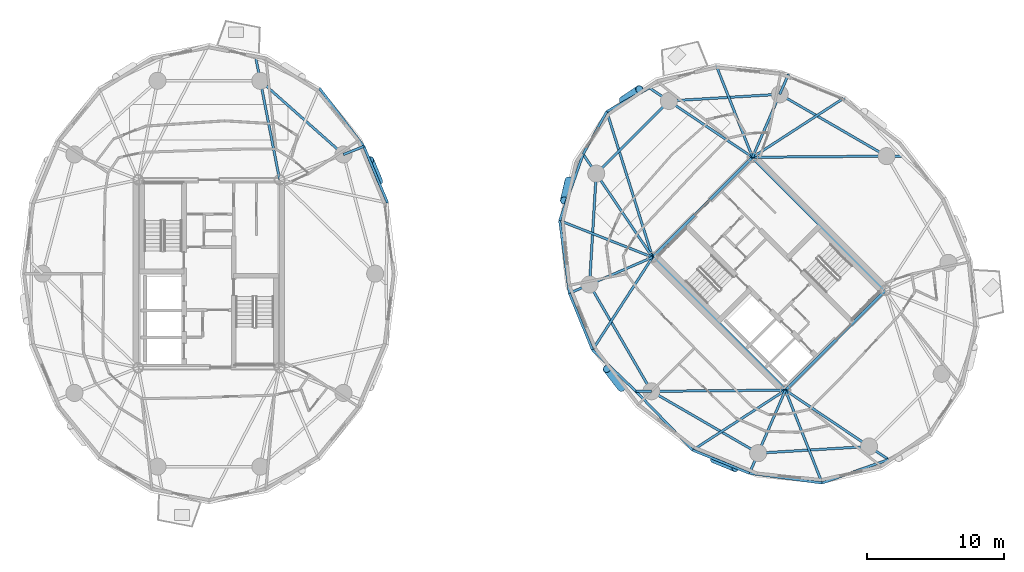
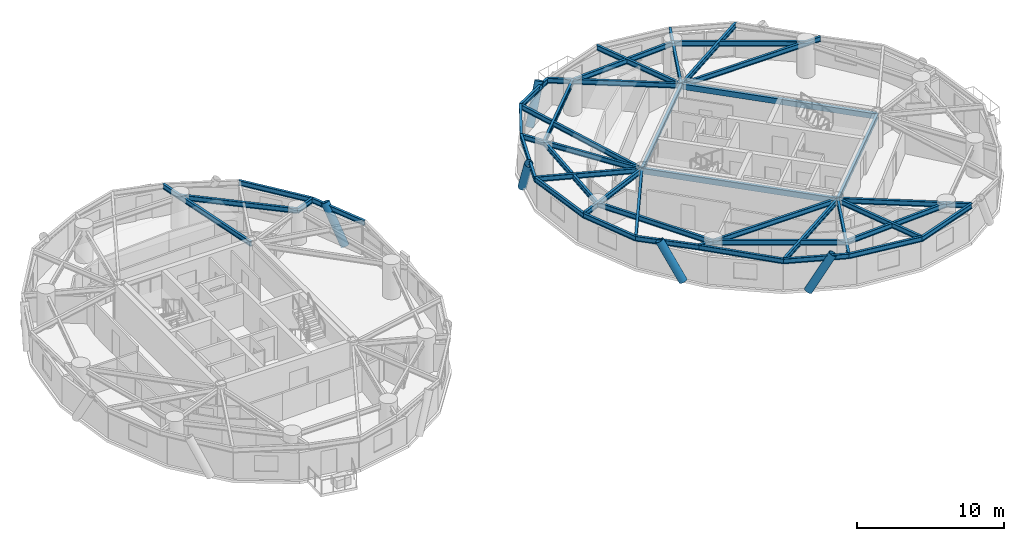
# One storey, part 4 of 16: 43 beams, 5 members.
"""IFC4 building model written with IfcOpenShell, lengths in metres."""

from ifc_helpers import new_model, si_unit, direction, frame, origin, origin_2d, place, context, subcontext, project, spatial, hollow_rectangle, hollow_circle, i_section, extrude, material, material_profile, profile_set, type_object, element, save


model = new_model("IFC4")

# Units and contexts
model_context = context("Model", 3, precision=1e-05, world=origin(), true_north=direction((0.0, 1.0)))
body_context = subcontext(model_context, "Body", "Model", "MODEL_VIEW")
ifc_project = project(units=[si_unit("LENGTHUNIT", "METRE"), si_unit("AREAUNIT", "SQUARE_METRE"), si_unit("VOLUMEUNIT", "CUBIC_METRE"), si_unit("PLANEANGLEUNIT", "RADIAN"), si_unit("MASSUNIT", "GRAM", prefix="KILO")], contexts=[model_context])

# Site, building, storey
site_placement = place(None, origin())
site = spatial("IfcSite", under=ifc_project, at=site_placement, CompositionType="ELEMENT")
building_placement = place(site_placement, origin())
building = spatial("IfcBuilding", under=site, at=building_placement, Name="Cununo Teusaquillo Station Towers", CompositionType="ELEMENT")
storey_placement = place(building_placement, frame((0.0, 0.0, 171.969970703125)))
storey = spatial("IfcBuildingStorey", under=building, at=storey_placement, Name="L54", CompositionType="ELEMENT", Elevation=171.969970703125)

# Beams
ifc_material_1 = material(Name="Steel EN 10025-2 S355J2", Category="steel")
ifc_material_profile_1 = material_profile(ifc_material_1, hollow_rectangle(XDim=0.25, YDim=0.449951171875, WallThickness=0.01611328125, at=origin_2d()), Name="RHS 450x250x16")
ifc_profile_set_1 = profile_set([ifc_material_profile_1], Name="Steel EN 10025-2 S355J2")
beam_type_1 = type_object("IfcBeamType", Name="BM-COUP-1", PredefinedType="USERDEFINED", material=ifc_profile_set_1)
for number, where, z_axis, x_axis, name in (
    (1, (58.70556640625, 15.975830078125, 2.465087890625), (-0.707106781187, 0.707106781187, 0.0), (-0.707106781187, -0.707106781187, 0.0), "L54 Tower B Core Beam 1"),
    (2, (66.024169921875, 23.29443359375, 2.465087890625), (-0.707106781187, 0.707106781187, 0.0), (-0.707106781187, -0.707106781187, 0.0), "L54 Tower B Core Beam 2"),
):
    element("IfcBeam", number, at=place(storey_placement, frame(where, z_axis=z_axis, x_axis=x_axis)), inside=storey, type_object=beam_type_1, Name=name, ObjectType="COUPLING BEAM", PredefinedType="USERDEFINED", context=body_context, shape_type="SweptSolid", body=[
        extrude(hollow_rectangle(XDim=0.25, YDim=0.449951171875, WallThickness=0.01611328125, at=origin_2d()), origin(), (0.0, 0.0, 1.0), 13.760009765625),
    ])
ifc_material_2 = material(Name="Steel ASTM A572 Grade 50", Category="steel")
ifc_material_profile_2 = material_profile(ifc_material_2, i_section(OverallWidth=0.180908203125, OverallDepth=0.4169921875, WebThickness=0.010986328125, FlangeThickness=0.018310546875, FilletRadius=0.012939453125, at=origin_2d()), Name="W16X57")
ifc_profile_set_2 = profile_set([ifc_material_profile_2], Name="Steel ASTM A572 Grade 50")
beam_type_2 = type_object("IfcBeamType", Name="BM-JOIST-1", PredefinedType="JOIST", material=ifc_profile_set_2)
beam_1_placement = place(storey_placement, frame((56.29443359375, 33.024169921875, 2.4814453125), z_axis=(0.839447756954, 0.543440395394, 0.0), x_axis=(-0.543440395394, 0.839447756954, 0.0)))
element("IfcBeam", 3, at=beam_1_placement, inside=storey, type_object=beam_type_2, Name="L54 Tower B Radial Spandrel Joist V01", PredefinedType="JOIST", context=body_context, shape_type="SweptSolid", body=[
    extrude(i_section(OverallWidth=0.180908203125, OverallDepth=0.4169921875, WebThickness=0.010986328125, FlangeThickness=0.018310546875, FilletRadius=0.012939453125, at=origin_2d()), origin(), (0.0, 0.0, 1.0), 8.08203125),
])
beam_2_placement = place(storey_placement, frame((56.29443359375, 33.024169921875, 2.4814453125), z_axis=(-0.367331607091, 0.93009004426, 0.0), x_axis=(-0.93009004426, -0.367331607091, 0.0)))
element("IfcBeam", 4, at=beam_2_placement, inside=storey, type_object=beam_type_2, Name="L54 Tower B Radial Spandrel Joist V03", PredefinedType="JOIST", context=body_context, shape_type="SweptSolid", body=[
    extrude(i_section(OverallWidth=0.180908203125, OverallDepth=0.4169921875, WebThickness=0.010986328125, FlangeThickness=0.018310546875, FilletRadius=0.012939453125, at=origin_2d()), origin(), (0.0, 0.0, 1.0), 7.306884765625),
])
beam_3_placement = place(storey_placement, frame((48.975830078125, 25.70556640625, 2.4814453125), z_axis=(-0.29947962656, 0.954102695351, 0.0), x_axis=(-0.954102695351, -0.29947962656, 0.0)))
element("IfcBeam", 5, at=beam_3_placement, inside=storey, type_object=beam_type_2, Name="L54 Tower B Radial Spandrel Joist V05", PredefinedType="JOIST", context=body_context, shape_type="SweptSolid", body=[
    extrude(i_section(OverallWidth=0.180908203125, OverallDepth=0.4169921875, WebThickness=0.010986328125, FlangeThickness=0.018310546875, FilletRadius=0.012939453125, at=origin_2d()), origin(), (0.0, 0.0, 1.0), 11.179931640625),
])
beam_4_placement = place(storey_placement, frame((48.975830078125, 25.70556640625, 2.4814453125), z_axis=(-0.93009004426, 0.367331607091, 0.0), x_axis=(-0.367331607091, -0.93009004426, 0.0)))
element("IfcBeam", 6, at=beam_4_placement, inside=storey, type_object=beam_type_2, Name="L54 Tower B Radial Spandrel Joist V07", PredefinedType="JOIST", context=body_context, shape_type="SweptSolid", body=[
    extrude(i_section(OverallWidth=0.180908203125, OverallDepth=0.4169921875, WebThickness=0.010986328125, FlangeThickness=0.018310546875, FilletRadius=0.012939453125, at=origin_2d()), origin(), (0.0, 0.0, 1.0), 7.306884765625),
])
for number, where, z_axis, x_axis, name in (
    (7, (48.975830078125, 25.70556640625, 2.4814453125), (-0.543440395394, -0.839447756954, 0.0), (0.839447756954, -0.543440395394, 0.0), "L54 Tower B Radial Spandrel Joist V09"),
    (8, (58.70556640625, 15.975830078125, 2.4814453125), (-0.839447756954, -0.543440395394, 0.0), (0.543440395394, -0.839447756954, 0.0), "L54 Tower B Radial Spandrel Joist V11"),
):
    element("IfcBeam", number, at=place(storey_placement, frame(where, z_axis=z_axis, x_axis=x_axis)), inside=storey, type_object=beam_type_2, Name=name, PredefinedType="JOIST", context=body_context, shape_type="SweptSolid", body=[
        extrude(i_section(OverallWidth=0.180908203125, OverallDepth=0.4169921875, WebThickness=0.010986328125, FlangeThickness=0.018310546875, FilletRadius=0.012939453125, at=origin_2d()), origin(), (0.0, 0.0, 1.0), 8.08203125),
    ])
beam_5_placement = place(storey_placement, frame((58.70556640625, 15.975830078125, 2.4814453125), z_axis=(0.367331607091, -0.93009004426, 0.0), x_axis=(0.93009004426, 0.367331607091, 0.0)))
element("IfcBeam", 9, at=beam_5_placement, inside=storey, type_object=beam_type_2, Name="L54 Tower B Radial Spandrel Joist V13", PredefinedType="JOIST", context=body_context, shape_type="SweptSolid", body=[
    extrude(i_section(OverallWidth=0.180908203125, OverallDepth=0.4169921875, WebThickness=0.010986328125, FlangeThickness=0.018310546875, FilletRadius=0.012939453125, at=origin_2d()), origin(), (0.0, 0.0, 1.0), 7.306884765625),
])
ifc_material_3 = material(Name="Steel ASTM A572 Grade 50", Category="steel")
ifc_material_profile_3 = material_profile(ifc_material_3, i_section(OverallWidth=0.2041015625, OverallDepth=0.35009765625, WebThickness=0.008544921875, FlangeThickness=0.01513671875, FilletRadius=0.011962890625, at=origin_2d()), Name="W14X48")
ifc_profile_set_3 = profile_set([ifc_material_profile_3], Name="Steel ASTM A572 Grade 50")
beam_type_3 = type_object("IfcBeamType", Name="BM-LINTEL-1", PredefinedType="LINTEL", material=ifc_profile_set_3)
for number, where, z_axis, x_axis, name in (
    (10, (58.70556640625, 15.975830078125, 2.51513671875), (0.707106781187, 0.707106781187, 0.0), (-0.707106781187, 0.707106781187, 0.0), "L54 Tower B Core Beam 3"),
    (11, (48.975830078125, 25.70556640625, 2.51513671875), (0.707106781187, 0.707106781187, 0.0), (-0.707106781187, 0.707106781187, 0.0), "L54 Tower B Core Beam 4"),
):
    element("IfcBeam", number, at=place(storey_placement, frame(where, z_axis=z_axis, x_axis=x_axis)), inside=storey, type_object=beam_type_3, Name=name, PredefinedType="LINTEL", context=body_context, shape_type="SweptSolid", body=[
        extrude(i_section(OverallWidth=0.2041015625, OverallDepth=0.35009765625, WebThickness=0.008544921875, FlangeThickness=0.01513671875, FilletRadius=0.011962890625, at=origin_2d()), origin(), (0.0, 0.0, 1.0), 10.35009765625),
    ])
ifc_material_4 = material(Name="Steel ASTM A572 Grade 50", Category="steel")
ifc_material_profile_4 = material_profile(ifc_material_4, i_section(OverallWidth=0.180908203125, OverallDepth=0.4169921875, WebThickness=0.010986328125, FlangeThickness=0.018310546875, FilletRadius=0.012939453125, at=origin_2d()), Name="W16X57")
ifc_profile_set_4 = profile_set([ifc_material_profile_4], Name="Steel ASTM A572 Grade 50")
beam_type_4 = type_object("IfcBeamType", Name="BM-RAD-G2", PredefinedType="BEAM", material=ifc_profile_set_4)
beam_6_placement = place(storey_placement, frame((26.347412109375, 33.228515625, 2.4814453125), z_axis=(0.929873737198, 0.367878829058, 0.0), x_axis=(-0.367878829058, 0.929873737198, 0.0)))
element("IfcBeam", 12, at=beam_6_placement, inside=storey, type_object=beam_type_4, Name="L54 Tower A Perimeter Overhang Girder 02B", PredefinedType="BEAM", context=body_context, shape_type="SweptSolid", body=[
    extrude(i_section(OverallWidth=0.180908203125, OverallDepth=0.4169921875, WebThickness=0.010986328125, FlangeThickness=0.018310546875, FilletRadius=0.012939453125, at=origin_2d()), origin(), (0.0, 0.0, 1.0), 1.607421875),
])
beam_7_placement = place(storey_placement, frame((21.675048828125, 31.3798828125, 2.4814453125), z_axis=(-0.191557018874, 0.981481486591, 0.0), x_axis=(-0.981481486591, -0.191557018874, 0.0)))
element("IfcBeam", 13, at=beam_7_placement, inside=storey, type_object=beam_type_4, Name="L54 Tower A Continuous Overhanging Radial Girder 03", PredefinedType="BEAM", context=body_context, shape_type="SweptSolid", body=[
    extrude(i_section(OverallWidth=0.180908203125, OverallDepth=0.4169921875, WebThickness=0.010986328125, FlangeThickness=0.018310546875, FilletRadius=0.012939453125, at=origin_2d()), origin(), (0.0, 0.0, 1.0), 9.097412109375),
])
beam_8_placement = place(storey_placement, frame((56.29443359375, 33.024169921875, 2.4814453125), z_axis=(0.999964410964, 0.008436634764, 0.0), x_axis=(-0.008436634764, 0.999964410964, 0.0)))
element("IfcBeam", 14, at=beam_8_placement, inside=storey, type_object=beam_type_4, Name="L54 Tower B Continuous Overhanging Radial Girder 01", PredefinedType="BEAM", context=body_context, shape_type="SweptSolid", body=[
    extrude(i_section(OverallWidth=0.180908203125, OverallDepth=0.4169921875, WebThickness=0.010986328125, FlangeThickness=0.018310546875, FilletRadius=0.012939453125, at=origin_2d()), origin(), (0.0, 0.0, 1.0), 10.938720703125),
])
beam_9_placement = place(storey_placement, frame((56.29443359375, 33.024169921875, 2.4814453125), z_axis=(0.397346986387, 0.917668443616, 0.0), x_axis=(-0.917668443616, 0.397346986387, 0.0)))
element("IfcBeam", 15, at=beam_9_placement, inside=storey, type_object=beam_type_4, Name="L54 Tower B Radial Girder 02A", PredefinedType="BEAM", context=body_context, shape_type="SweptSolid", body=[
    extrude(i_section(OverallWidth=0.180908203125, OverallDepth=0.4169921875, WebThickness=0.010986328125, FlangeThickness=0.018310546875, FilletRadius=0.012939453125, at=origin_2d()), origin(), (0.0, 0.0, 1.0), 5.02490234375),
])
beam_10_placement = place(storey_placement, frame((58.291015625, 37.63525390625, 2.4814453125), z_axis=(0.397381487564, 0.917653503966, 0.0), x_axis=(-0.917653503966, 0.397381487564, 0.0)))
element("IfcBeam", 16, at=beam_10_placement, inside=storey, type_object=beam_type_4, Name="L54 Tower B Perimeter Overhang Girder 02B", PredefinedType="BEAM", context=body_context, shape_type="SweptSolid", body=[
    extrude(i_section(OverallWidth=0.180908203125, OverallDepth=0.4169921875, WebThickness=0.010986328125, FlangeThickness=0.018310546875, FilletRadius=0.012939453125, at=origin_2d()), origin(), (0.0, 0.0, 1.0), 1.607177734375),
])
for number, where, z_axis, x_axis, name in (
    (17, (56.29443359375, 33.024169921875, 2.4814453125), (-0.829456719326, 0.558570989907, 0.0), (-0.558570989907, -0.829456719326, 0.0), "L54 Tower B Continuous Overhanging Radial Girder 03"),
    (18, (48.975830078125, 25.70556640625, 2.4814453125), (-0.558570989907, 0.829456719326, 0.0), (-0.829456719326, -0.558570989907, 0.0), "L54 Tower B Continuous Overhanging Radial Girder 04"),
):
    element("IfcBeam", number, at=place(storey_placement, frame(where, z_axis=z_axis, x_axis=x_axis)), inside=storey, type_object=beam_type_4, Name=name, PredefinedType="BEAM", context=body_context, shape_type="SweptSolid", body=[
        extrude(i_section(OverallWidth=0.180908203125, OverallDepth=0.4169921875, WebThickness=0.010986328125, FlangeThickness=0.018310546875, FilletRadius=0.012939453125, at=origin_2d()), origin(), (0.0, 0.0, 1.0), 9.097412109375),
    ])
beam_11_placement = place(storey_placement, frame((48.975830078125, 25.70556640625, 2.4814453125), z_axis=(-0.917664823247, -0.397355347486, 0.0), x_axis=(0.397355347486, -0.917664823247, 0.0)))
element("IfcBeam", 19, at=beam_11_placement, inside=storey, type_object=beam_type_4, Name="L54 Tower B Continuous Overhanging Radial Girder 05", PredefinedType="BEAM", context=body_context, shape_type="SweptSolid", body=[
    extrude(i_section(OverallWidth=0.180908203125, OverallDepth=0.4169921875, WebThickness=0.010986328125, FlangeThickness=0.018310546875, FilletRadius=0.012939453125, at=origin_2d()), origin(), (0.0, 0.0, 1.0), 6.632080078125),
])
beam_12_placement = place(storey_placement, frame((58.70556640625, 15.975830078125, 2.4814453125), z_axis=(-0.999964431382, -0.008434214327, 0.0), x_axis=(0.008434214327, -0.999964431382, 0.0)))
element("IfcBeam", 20, at=beam_12_placement, inside=storey, type_object=beam_type_4, Name="L54 Tower B Radial Girder 06A", PredefinedType="BEAM", context=body_context, shape_type="SweptSolid", body=[
    extrude(i_section(OverallWidth=0.180908203125, OverallDepth=0.4169921875, WebThickness=0.010986328125, FlangeThickness=0.018310546875, FilletRadius=0.012939453125, at=origin_2d()), origin(), (0.0, 0.0, 1.0), 9.812744140625),
])
beam_13_placement = place(storey_placement, frame((48.89306640625, 15.89306640625, 2.4814453125), z_axis=(-0.99996423274, -0.008457732613, 0.0), x_axis=(0.008457732613, -0.99996423274, 0.0)))
element("IfcBeam", 21, at=beam_13_placement, inside=storey, type_object=beam_type_4, Name="L54 Tower B Perimeter Overhang Girder 06B", PredefinedType="BEAM", context=body_context, shape_type="SweptSolid", body=[
    extrude(i_section(OverallWidth=0.180908203125, OverallDepth=0.4169921875, WebThickness=0.010986328125, FlangeThickness=0.018310546875, FilletRadius=0.012939453125, at=origin_2d()), origin(), (0.0, 0.0, 1.0), 1.125732421875),
])
beam_14_placement = place(storey_placement, frame((58.70556640625, 15.975830078125, 2.4814453125), z_axis=(-0.397355347486, -0.917664823247, 0.0), x_axis=(0.917664823247, -0.397355347486, 0.0)))
element("IfcBeam", 22, at=beam_14_placement, inside=storey, type_object=beam_type_4, Name="L54 Tower B Continuous Overhanging Radial Girder 07", PredefinedType="BEAM", context=body_context, shape_type="SweptSolid", body=[
    extrude(i_section(OverallWidth=0.180908203125, OverallDepth=0.4169921875, WebThickness=0.010986328125, FlangeThickness=0.018310546875, FilletRadius=0.012939453125, at=origin_2d()), origin(), (0.0, 0.0, 1.0), 6.632080078125),
])
beam_15_placement = place(storey_placement, frame((58.70556640625, 15.975830078125, 2.4814453125), z_axis=(0.829456719326, -0.558570989907, 0.0), x_axis=(0.558570989907, 0.829456719326, 0.0)))
element("IfcBeam", 23, at=beam_15_placement, inside=storey, type_object=beam_type_4, Name="L54 Tower B Continuous Overhanging Radial Girder 08", PredefinedType="BEAM", context=body_context, shape_type="SweptSolid", body=[
    extrude(i_section(OverallWidth=0.180908203125, OverallDepth=0.4169921875, WebThickness=0.010986328125, FlangeThickness=0.018310546875, FilletRadius=0.012939453125, at=origin_2d()), origin(), (0.0, 0.0, 1.0), 9.097412109375),
])
ifc_material_5 = material(Name="Steel ASTM A572 Grade 50", Category="steel")
ifc_material_profile_5 = material_profile(ifc_material_5, i_section(OverallWidth=0.180908203125, OverallDepth=0.4169921875, WebThickness=0.010986328125, FlangeThickness=0.018310546875, FilletRadius=0.012939453125, at=origin_2d()), Name="W16X57")
ifc_profile_set_5 = profile_set([ifc_material_profile_5], Name="Steel ASTM A572 Grade 50")
beam_type_5 = type_object("IfcBeamType", Name="BM-RING-Z3", PredefinedType="SPANDREL", material=ifc_profile_set_5)
beam_16_placement = place(storey_placement, frame((26.347412109375, 33.228515625, 2.4814453125), z_axis=(-0.74832120039, 0.66333655187, 0.0), x_axis=(-0.66333655187, -0.74832120039, 0.0)))
element("IfcBeam", 24, at=beam_16_placement, inside=storey, type_object=beam_type_5, Name="L54 Tower A Structural Column Ring Girder 02", PredefinedType="SPANDREL", context=body_context, shape_type="SweptSolid", body=[
    extrude(i_section(OverallWidth=0.180908203125, OverallDepth=0.4169921875, WebThickness=0.010986328125, FlangeThickness=0.018310546875, FilletRadius=0.012939453125, at=origin_2d()), origin(), (0.0, 0.0, 1.0), 8.1328125),
])
beam_17_placement = place(storey_placement, frame((29.577880859375, 29.6884765625, 2.4814453125), z_axis=(-0.387360300858, 0.921928412253, 0.0), x_axis=(-0.921928412253, -0.387360300858, 0.0)))
element("IfcBeam", 25, at=beam_17_placement, inside=storey, type_object=beam_type_5, Name="L54 Tower A Spandrel Ring Beam 02", PredefinedType="SPANDREL", context=body_context, shape_type="SweptSolid", body=[
    extrude(i_section(OverallWidth=0.180908203125, OverallDepth=0.4169921875, WebThickness=0.010986328125, FlangeThickness=0.018310546875, FilletRadius=0.012939453125, at=origin_2d()), origin(), (0.0, 0.0, 1.0), 4.481201171875),
])
beam_18_placement = place(storey_placement, frame((27.842041015625, 33.81982421875, 2.4814453125), z_axis=(-0.607340349092, 0.794441753916, 0.0), x_axis=(-0.794441753916, -0.607340349092, 0.0)))
element("IfcBeam", 26, at=beam_18_placement, inside=storey, type_object=beam_type_5, Name="L54 Tower A Spandrel Ring Beam 03", PredefinedType="SPANDREL", context=body_context, shape_type="SweptSolid", body=[
    extrude(i_section(OverallWidth=0.180908203125, OverallDepth=0.4169921875, WebThickness=0.010986328125, FlangeThickness=0.018310546875, FilletRadius=0.012939453125, at=origin_2d()), origin(), (0.0, 0.0, 1.0), 5.366943359375),
])
beam_19_placement = place(storey_placement, frame((66.10693359375, 33.10693359375, 2.4814453125), z_axis=(-0.865267103202, 0.501311121078, 0.0), x_axis=(-0.501311121078, -0.865267103202, 0.0)))
element("IfcBeam", 27, at=beam_19_placement, inside=storey, type_object=beam_type_5, Name="L54 Tower B Structural Column Ring Girder 01", PredefinedType="SPANDREL", context=body_context, shape_type="SweptSolid", body=[
    extrude(i_section(OverallWidth=0.180908203125, OverallDepth=0.4169921875, WebThickness=0.010986328125, FlangeThickness=0.018310546875, FilletRadius=0.012939453125, at=origin_2d()), origin(), (0.0, 0.0, 1.0), 9.032958984375),
])
beam_20_placement = place(storey_placement, frame((58.291015625, 37.63525390625, 2.4814453125), z_axis=(-0.998190567048, -0.06012979176, 0.0), x_axis=(0.06012979176, -0.998190567048, 0.0)))
element("IfcBeam", 28, at=beam_20_placement, inside=storey, type_object=beam_type_5, Name="L54 Tower B Structural Column Ring Girder 02", PredefinedType="SPANDREL", context=body_context, shape_type="SweptSolid", body=[
    extrude(i_section(OverallWidth=0.180908203125, OverallDepth=0.4169921875, WebThickness=0.010986328125, FlangeThickness=0.018310546875, FilletRadius=0.012939453125, at=origin_2d()), origin(), (0.0, 0.0, 1.0), 8.132568359375),
])
beam_21_placement = place(storey_placement, frame((50.173095703125, 37.146240234375, 2.4814453125), z_axis=(-0.707106781187, -0.707106781187, 0.0), x_axis=(0.707106781187, -0.707106781187, 0.0)))
element("IfcBeam", 29, at=beam_21_placement, inside=storey, type_object=beam_type_5, Name="L54 Tower B Structural Column Ring Girder 03", PredefinedType="SPANDREL", context=body_context, shape_type="SweptSolid", body=[
    extrude(i_section(OverallWidth=0.180908203125, OverallDepth=0.4169921875, WebThickness=0.010986328125, FlangeThickness=0.018310546875, FilletRadius=0.012939453125, at=origin_2d()), origin(), (0.0, 0.0, 1.0), 7.522705078125),
])
beam_22_placement = place(storey_placement, frame((44.853759765625, 31.826904296875, 2.4814453125), z_axis=(-0.06012979176, -0.998190567048, 0.0), x_axis=(0.998190567048, -0.06012979176, 0.0)))
element("IfcBeam", 30, at=beam_22_placement, inside=storey, type_object=beam_type_5, Name="L54 Tower B Structural Column Ring Girder 04", PredefinedType="SPANDREL", context=body_context, shape_type="SweptSolid", body=[
    extrude(i_section(OverallWidth=0.180908203125, OverallDepth=0.4169921875, WebThickness=0.010986328125, FlangeThickness=0.018310546875, FilletRadius=0.012939453125, at=origin_2d()), origin(), (0.0, 0.0, 1.0), 8.132568359375),
])
for number, where, z_axis, x_axis, name in (
    (31, (44.36474609375, 23.708984375, 2.4814453125), (0.501311121078, -0.865267103202, 0.0), (0.865267103202, 0.501311121078, 0.0), "L54 Tower B Structural Column Ring Girder 05"),
    (32, (48.89306640625, 15.89306640625, 2.4814453125), (0.865267103202, -0.501311121078, 0.0), (0.501311121078, 0.865267103202, 0.0), "L54 Tower B Structural Column Ring Girder 06"),
):
    element("IfcBeam", number, at=place(storey_placement, frame(where, z_axis=z_axis, x_axis=x_axis)), inside=storey, type_object=beam_type_5, Name=name, PredefinedType="SPANDREL", context=body_context, shape_type="SweptSolid", body=[
        extrude(i_section(OverallWidth=0.180908203125, OverallDepth=0.4169921875, WebThickness=0.010986328125, FlangeThickness=0.018310546875, FilletRadius=0.012939453125, at=origin_2d()), origin(), (0.0, 0.0, 1.0), 9.032958984375),
    ])
beam_23_placement = place(storey_placement, frame((56.708984375, 11.36474609375, 2.4814453125), z_axis=(0.998190567048, 0.06012979176, 0.0), x_axis=(-0.06012979176, 0.998190567048, 0.0)))
element("IfcBeam", 33, at=beam_23_placement, inside=storey, type_object=beam_type_5, Name="L54 Tower B Structural Column Ring Girder 07", PredefinedType="SPANDREL", context=body_context, shape_type="SweptSolid", body=[
    extrude(i_section(OverallWidth=0.180908203125, OverallDepth=0.4169921875, WebThickness=0.010986328125, FlangeThickness=0.018310546875, FilletRadius=0.012939453125, at=origin_2d()), origin(), (0.0, 0.0, 1.0), 8.132568359375),
])
for number, where, z_axis, x_axis, name in (
    (34, (48.74853515625, 38.105712890625, 2.4814453125), (-0.874205659621, -0.485555830659, 0.0), (0.485555830659, -0.874205659621, 0.0), "L54 Tower B Spandrel Ring Beam 05"),
    (35, (45.627685546875, 36.372314453125, 2.4814453125), (-0.485555830659, -0.874205659621, 0.0), (0.874205659621, -0.485555830659, 0.0), "L54 Tower B Spandrel Ring Beam 06"),
):
    element("IfcBeam", number, at=place(storey_placement, frame(where, z_axis=z_axis, x_axis=x_axis)), inside=storey, type_object=beam_type_5, Name=name, PredefinedType="SPANDREL", context=body_context, shape_type="SweptSolid", body=[
        extrude(i_section(OverallWidth=0.180908203125, OverallDepth=0.4169921875, WebThickness=0.010986328125, FlangeThickness=0.018310546875, FilletRadius=0.012939453125, at=origin_2d()), origin(), (0.0, 0.0, 1.0), 3.56982421875),
    ])
beam_24_placement = place(storey_placement, frame((43.894287109375, 33.25146484375, 2.4814453125), z_axis=(-0.332589733158, -0.943071614141, 0.0), x_axis=(0.943071614141, -0.332589733158, 0.0)))
element("IfcBeam", 36, at=beam_24_placement, inside=storey, type_object=beam_type_5, Name="L54 Tower B Spandrel Ring Beam 07", PredefinedType="SPANDREL", context=body_context, shape_type="SweptSolid", body=[
    extrude(i_section(OverallWidth=0.180908203125, OverallDepth=0.4169921875, WebThickness=0.010986328125, FlangeThickness=0.018310546875, FilletRadius=0.012939453125, at=origin_2d()), origin(), (0.0, 0.0, 1.0), 5.1552734375),
])
beam_25_placement = place(storey_placement, frame((42.1796875, 28.3896484375, 2.4814453125), z_axis=(0.132339532096, -0.991204443213, 0.0), x_axis=(0.991204443213, 0.132339532096, 0.0)))
element("IfcBeam", 37, at=beam_25_placement, inside=storey, type_object=beam_type_5, Name="L54 Tower B Spandrel Ring Beam 08", PredefinedType="SPANDREL", context=body_context, shape_type="SweptSolid", body=[
    extrude(i_section(OverallWidth=0.180908203125, OverallDepth=0.4169921875, WebThickness=0.010986328125, FlangeThickness=0.018310546875, FilletRadius=0.012939453125, at=origin_2d()), origin(), (0.0, 0.0, 1.0), 5.366455078125),
])
beam_26_placement = place(storey_placement, frame((42.889892578125, 23.0703125, 2.4814453125), z_axis=(0.377956082264, -0.925823525235, 0.0), x_axis=(0.925823525235, 0.377956082264, 0.0)))
element("IfcBeam", 38, at=beam_26_placement, inside=storey, type_object=beam_type_5, Name="L54 Tower B Spandrel Ring Beam 09", PredefinedType="SPANDREL", context=body_context, shape_type="SweptSolid", body=[
    extrude(i_section(OverallWidth=0.180908203125, OverallDepth=0.4169921875, WebThickness=0.010986328125, FlangeThickness=0.018310546875, FilletRadius=0.012939453125, at=origin_2d()), origin(), (0.0, 0.0, 1.0), 4.481689453125),
])
beam_27_placement = place(storey_placement, frame((44.583740234375, 18.921142578125, 2.4814453125), z_axis=(0.723501643849, -0.690322657421, 0.0), x_axis=(0.690322657421, 0.723501643849, 0.0)))
element("IfcBeam", 39, at=beam_27_placement, inside=storey, type_object=beam_type_5, Name="L54 Tower B Spandrel Ring Beam 10", PredefinedType="SPANDREL", context=body_context, shape_type="SweptSolid", body=[
    extrude(i_section(OverallWidth=0.180908203125, OverallDepth=0.4169921875, WebThickness=0.010986328125, FlangeThickness=0.018310546875, FilletRadius=0.012939453125, at=origin_2d()), origin(), (0.0, 0.0, 1.0), 4.400146484375),
])
beam_28_placement = place(storey_placement, frame((47.767333984375, 15.883544921875, 2.4814453125), z_axis=(0.694791256552, -0.719211450005, 0.0), x_axis=(0.719211450005, 0.694791256552, 0.0)))
element("IfcBeam", 40, at=beam_28_placement, inside=storey, type_object=beam_type_5, Name="L54 Tower B Spandrel Ring Beam 11", PredefinedType="SPANDREL", context=body_context, shape_type="SweptSolid", body=[
    extrude(i_section(OverallWidth=0.180908203125, OverallDepth=0.4169921875, WebThickness=0.010986328125, FlangeThickness=0.018310546875, FilletRadius=0.012939453125, at=origin_2d()), origin(), (0.0, 0.0, 1.0), 5.978515625),
])
beam_29_placement = place(storey_placement, frame((51.921142578125, 11.583740234375, 2.4814453125), z_axis=(0.925823525235, -0.377956082264, 0.0), x_axis=(0.377956082264, 0.925823525235, 0.0)))
element("IfcBeam", 41, at=beam_29_placement, inside=storey, type_object=beam_type_5, Name="L54 Tower B Spandrel Ring Beam 12", PredefinedType="SPANDREL", context=body_context, shape_type="SweptSolid", body=[
    extrude(i_section(OverallWidth=0.180908203125, OverallDepth=0.4169921875, WebThickness=0.010986328125, FlangeThickness=0.018310546875, FilletRadius=0.012939453125, at=origin_2d()), origin(), (0.0, 0.0, 1.0), 4.481689453125),
])
beam_30_placement = place(storey_placement, frame((56.0703125, 9.889892578125, 2.4814453125), z_axis=(0.991204443213, -0.132339532096, 0.0), x_axis=(0.132339532096, 0.991204443213, 0.0)))
element("IfcBeam", 42, at=beam_30_placement, inside=storey, type_object=beam_type_5, Name="L54 Tower B Spandrel Ring Beam 13", PredefinedType="SPANDREL", context=body_context, shape_type="SweptSolid", body=[
    extrude(i_section(OverallWidth=0.180908203125, OverallDepth=0.4169921875, WebThickness=0.010986328125, FlangeThickness=0.018310546875, FilletRadius=0.012939453125, at=origin_2d()), origin(), (0.0, 0.0, 1.0), 5.366455078125),
])
beam_31_placement = place(storey_placement, frame((61.3896484375, 9.1796875, 2.4814453125), z_axis=(0.943071614141, 0.332589733158, 0.0), x_axis=(-0.332589733158, 0.943071614141, 0.0)))
element("IfcBeam", 43, at=beam_31_placement, inside=storey, type_object=beam_type_5, Name="L54 Tower B Spandrel Ring Beam 14", PredefinedType="SPANDREL", context=body_context, shape_type="SweptSolid", body=[
    extrude(i_section(OverallWidth=0.180908203125, OverallDepth=0.4169921875, WebThickness=0.010986328125, FlangeThickness=0.018310546875, FilletRadius=0.012939453125, at=origin_2d()), origin(), (0.0, 0.0, 1.0), 5.1552734375),
])

# Members
ifc_material_6 = material(Name="Steel EN 10025-2 S355J2", Category="steel")
ifc_material_profile_6 = material_profile(ifc_material_6, hollow_circle(Radius=0.304931640625, WallThickness=0.02001953125, at=origin_2d()), Name="CHS 610x20")
ifc_profile_set_6 = profile_set([ifc_material_profile_6], Name="Steel EN 10025-2 S355J2")
member_type = type_object("IfcMemberType", Name="MBR-DIAG-Z3", PredefinedType="BRACE", material=ifc_profile_set_6)
member_1_placement = place(storey_placement, frame((28.927001953125, 31.24853515625, -0.139892578125), z_axis=(-0.193480671787, 0.463570113506, 0.864677962891), x_axis=(-0.922846026244, -0.38516906917, 0.0)))
element("IfcMember", 44, at=member_1_placement, inside=storey, type_object=member_type, Name="L54 Tower A Folded-Zigzag Diagrid Tube C01", PredefinedType="BRACE", context=body_context, shape_type="SweptSolid", body=[
    extrude(hollow_circle(Radius=0.304931640625, WallThickness=0.02001953125, at=origin_2d()), origin(), (0.0, 0.0, 1.0), 3.365234375),
])
member_2_placement = place(storey_placement, frame((46.822998046875, 37.18017578125, -0.139892578125), z_axis=(0.368023716822, 0.248731715475, 0.895930286112), x_axis=(-0.559961028799, 0.828518947416, 0.0)))
element("IfcMember", 45, at=member_2_placement, inside=storey, type_object=member_type, Name="L54 Tower B Folded-Zigzag Diagrid Tube C04", PredefinedType="BRACE", context=body_context, shape_type="SweptSolid", body=[
    extrude(hollow_circle(Radius=0.304931640625, WallThickness=0.02001953125, at=origin_2d()), origin(), (0.0, 0.0, 1.0), 3.247802734375),
])
member_3_placement = place(storey_placement, frame((42.86279296875, 31.32080078125, -0.139892578125), z_axis=(-0.104259152832, -0.447367901679, 0.888252210579), x_axis=(0.973902205409, -0.226968046871, 0.0)))
element("IfcMember", 46, at=member_3_placement, inside=storey, type_object=member_type, Name="L54 Tower B Folded-Zigzag Diagrid Tube C06", PredefinedType="BRACE", context=body_context, shape_type="SweptSolid", body=[
    extrude(hollow_circle(Radius=0.304931640625, WallThickness=0.02001953125, at=origin_2d()), origin(), (0.0, 0.0, 1.0), 3.27587890625),
])
member_4_placement = place(storey_placement, frame((46.71240234375, 16.158203125, -0.139892578125), z_axis=(-0.313761283942, 0.407241996749, 0.857734115436), x_axis=(-0.792155415614, -0.610319422527, 0.0)))
element("IfcMember", 47, at=member_4_placement, inside=storey, type_object=member_type, Name="L54 Tower B Folded-Zigzag Diagrid Tube C09", PredefinedType="BRACE", context=body_context, shape_type="SweptSolid", body=[
    extrude(hollow_circle(Radius=0.304931640625, WallThickness=0.02001953125, at=origin_2d()), origin(), (0.0, 0.0, 1.0), 3.392578125),
])
member_5_placement = place(storey_placement, frame((53.48486328125, 10.94091796875, -0.139892578125), z_axis=(0.464587085322, -0.191014646417, 0.864680429411), x_axis=(0.380263076079, 0.924878366582, 0.0)))
element("IfcMember", 48, at=member_5_placement, inside=storey, type_object=member_type, Name="L54 Tower B Folded-Zigzag Diagrid Tube C11", PredefinedType="BRACE", context=body_context, shape_type="SweptSolid", body=[
    extrude(hollow_circle(Radius=0.304931640625, WallThickness=0.02001953125, at=origin_2d()), origin(), (0.0, 0.0, 1.0), 3.365234375),
])

save(model, "model.ifc")
